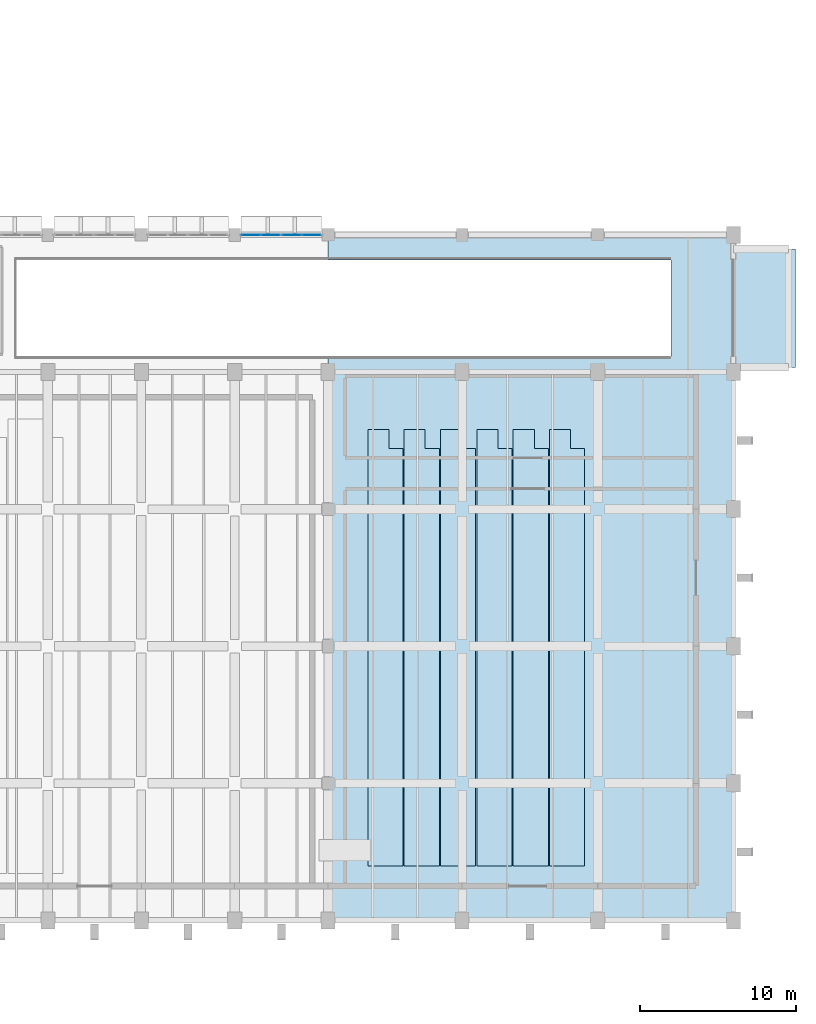
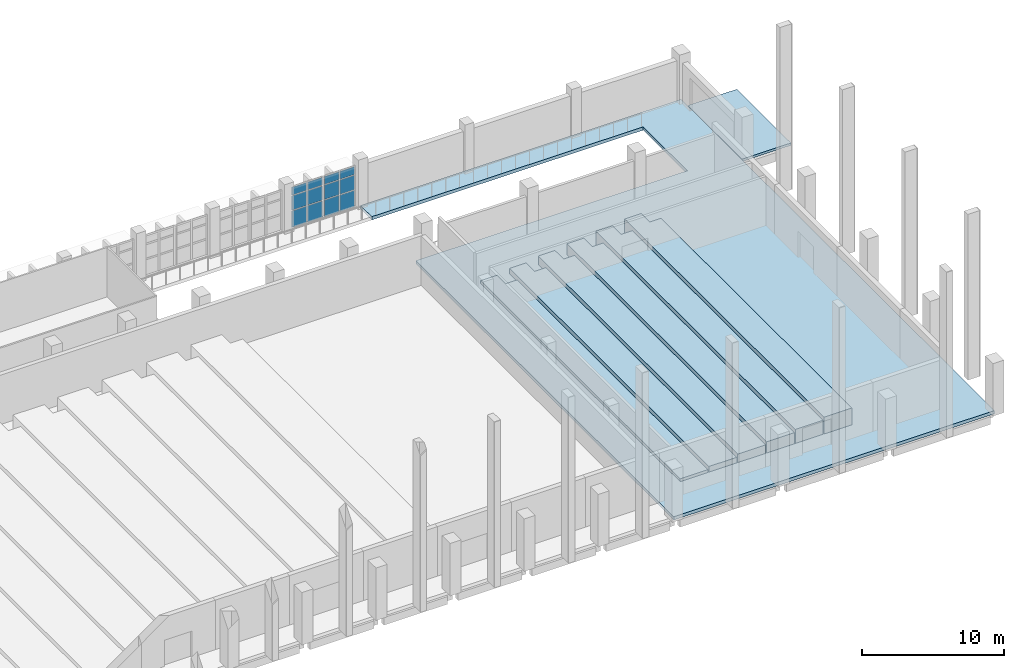
# One storey, part 56 of 76: 12 plates, 8 slabs, 2 elements without a shape of their own.
"""IFC4 building model written with IfcOpenShell, lengths in metres."""

from ifc_helpers import new_model, si_unit, direction, frame, origin, origin_2d, place, context, subcontext, project, spatial, polyline, rectangle, outline, extrude, material, layer, layer_set, type_object, element, aggregate, save


model = new_model("IFC4")

# Units and contexts
model_context = context("Model", 3, precision=1e-05, world=origin(), true_north=direction((0.0, 1.0)))
body_context = subcontext(model_context, "Body", "Model", "MODEL_VIEW")
ifc_project = project(units=[si_unit("LENGTHUNIT", "METRE"), si_unit("AREAUNIT", "SQUARE_METRE"), si_unit("VOLUMEUNIT", "CUBIC_METRE"), si_unit("PLANEANGLEUNIT", "RADIAN"), si_unit("MASSUNIT", "GRAM", prefix="KILO")], contexts=[model_context])

# Site, building, storey
site_placement = place(None, origin())
site = spatial("IfcSite", under=ifc_project, at=site_placement, CompositionType="ELEMENT")
building_placement = place(site_placement, origin())
building = spatial("IfcBuilding", under=site, at=building_placement, Name="Varnakota Cinema and Media Centre", CompositionType="ELEMENT")
storey_placement = place(building_placement, origin())
storey = spatial("IfcBuildingStorey", under=building, at=storey_placement, Name="L00", CompositionType="ELEMENT", Elevation=0.0)

# Curtain wall, plates
ifc_material_1 = material(Name="Thermally broken anodised aluminium AW-6063", Category="aluminium")
curtain_wall_type = type_object("IfcCurtainWallType", Name="CW-STD-259x358", PredefinedType="USERDEFINED", material=ifc_material_1)
curtain_wall_1_placement = place(storey_placement, origin())
curtain_wall_1 = element("IfcCurtainWall", 1, at=curtain_wall_1_placement, inside=storey, type_object=curtain_wall_type, Name="L00 curtain wall CW-L00-V1-N-10-1", ObjectType="UNITISED CURTAIN WALL", PredefinedType="USERDEFINED")
ifc_material_2 = material(Name="Laminated solar-control double glazing", Category="glass")
ifc_layer_1 = layer(ifc_material_2, 0.028076171875)
ifc_layer_set_1 = layer_set([ifc_layer_1], Name="Laminated solar-control double glazing")
plate_type = type_object("IfcPlateType", Name="CWP-DGU-28", PredefinedType="CURTAIN_PANEL", material=ifc_layer_set_1)
plate_1_placement = place(storey_placement, frame((130.039306640625, 44.0, 0.06494140625), z_axis=(0.0, 0.0, 1.0), x_axis=(1.0, 0.0, 0.0)))
plate_1 = element("IfcPlate", 2, at=plate_1_placement, type_object=plate_type, Name="CW06 panel 1.1", PredefinedType="CURTAIN_PANEL", context=body_context, shape_type="SweptSolid", body=[
    extrude(rectangle(XDim=1.19873046875, YDim=0.028076171875, at=origin_2d()), origin(), (0.0, 0.0, 1.0), 1.408203125),
])
plate_2_placement = place(storey_placement, frame((130.039306640625, 44.0, 1.5380859375), z_axis=(0.0, 0.0, 1.0), x_axis=(1.0, 0.0, 0.0)))
plate_2 = element("IfcPlate", 3, at=plate_2_placement, type_object=plate_type, Name="CW06 panel 1.2", PredefinedType="CURTAIN_PANEL", context=body_context, shape_type="SweptSolid", body=[
    extrude(rectangle(XDim=1.19873046875, YDim=0.028076171875, at=origin_2d()), origin(), (0.0, 0.0, 1.0), 1.2255859375),
])
plate_3_placement = place(storey_placement, frame((130.039306640625, 44.0, 2.82861328125), z_axis=(0.0, 0.0, 1.0), x_axis=(1.0, 0.0, 0.0)))
plate_3 = element("IfcPlate", 4, at=plate_3_placement, type_object=plate_type, Name="CW06 panel 1.3", PredefinedType="CURTAIN_PANEL", context=body_context, shape_type="SweptSolid", body=[
    extrude(rectangle(XDim=1.19873046875, YDim=0.028076171875, at=origin_2d()), origin(), (0.0, 0.0, 1.0), 0.691162109375),
])
plate_4_placement = place(storey_placement, frame((131.30322265625, 44.0, 0.06494140625), z_axis=(0.0, 0.0, 1.0), x_axis=(1.0, 0.0, 0.0)))
plate_4 = element("IfcPlate", 5, at=plate_4_placement, type_object=plate_type, Name="CW06 panel 2.1", PredefinedType="CURTAIN_PANEL", context=body_context, shape_type="SweptSolid", body=[
    extrude(rectangle(XDim=1.19873046875, YDim=0.028076171875, at=origin_2d()), origin(), (0.0, 0.0, 1.0), 1.408203125),
])
plate_5_placement = place(storey_placement, frame((131.30322265625, 44.0, 1.5380859375), z_axis=(0.0, 0.0, 1.0), x_axis=(1.0, 0.0, 0.0)))
plate_5 = element("IfcPlate", 6, at=plate_5_placement, type_object=plate_type, Name="CW06 panel 2.2", PredefinedType="CURTAIN_PANEL", context=body_context, shape_type="SweptSolid", body=[
    extrude(rectangle(XDim=1.19873046875, YDim=0.028076171875, at=origin_2d()), origin(), (0.0, 0.0, 1.0), 1.2255859375),
])
plate_6_placement = place(storey_placement, frame((131.30322265625, 44.0, 2.82861328125), z_axis=(0.0, 0.0, 1.0), x_axis=(1.0, 0.0, 0.0)))
plate_6 = element("IfcPlate", 7, at=plate_6_placement, type_object=plate_type, Name="CW06 panel 2.3", PredefinedType="CURTAIN_PANEL", context=body_context, shape_type="SweptSolid", body=[
    extrude(rectangle(XDim=1.19873046875, YDim=0.028076171875, at=origin_2d()), origin(), (0.0, 0.0, 1.0), 0.691162109375),
])
aggregate(curtain_wall_1, [plate_1, plate_2, plate_3, plate_4, plate_5, plate_6])

curtain_wall_2_placement = place(storey_placement, origin())
curtain_wall_2 = element("IfcCurtainWall", 8, at=curtain_wall_2_placement, inside=storey, type_object=curtain_wall_type, Name="L00 curtain wall CW-L00-V1-N-10-2", ObjectType="UNITISED CURTAIN WALL", PredefinedType="USERDEFINED")
plate_7_placement = place(storey_placement, frame((132.671875, 44.0, 0.06494140625), z_axis=(0.0, 0.0, 1.0), x_axis=(1.0, 0.0, 0.0)))
plate_7 = element("IfcPlate", 9, at=plate_7_placement, type_object=plate_type, Name="CW06 panel 1.1", PredefinedType="CURTAIN_PANEL", context=body_context, shape_type="SweptSolid", body=[
    extrude(rectangle(XDim=1.19873046875, YDim=0.028076171875, at=origin_2d()), origin(), (0.0, 0.0, 1.0), 1.408203125),
])
plate_8_placement = place(storey_placement, frame((132.671875, 44.0, 1.5380859375), z_axis=(0.0, 0.0, 1.0), x_axis=(1.0, 0.0, 0.0)))
plate_8 = element("IfcPlate", 10, at=plate_8_placement, type_object=plate_type, Name="CW06 panel 1.2", PredefinedType="CURTAIN_PANEL", context=body_context, shape_type="SweptSolid", body=[
    extrude(rectangle(XDim=1.19873046875, YDim=0.028076171875, at=origin_2d()), origin(), (0.0, 0.0, 1.0), 1.2255859375),
])
plate_9_placement = place(storey_placement, frame((132.671875, 44.0, 2.82861328125), z_axis=(0.0, 0.0, 1.0), x_axis=(1.0, 0.0, 0.0)))
plate_9 = element("IfcPlate", 11, at=plate_9_placement, type_object=plate_type, Name="CW06 panel 1.3", PredefinedType="CURTAIN_PANEL", context=body_context, shape_type="SweptSolid", body=[
    extrude(rectangle(XDim=1.19873046875, YDim=0.028076171875, at=origin_2d()), origin(), (0.0, 0.0, 1.0), 0.691162109375),
])
plate_10_placement = place(storey_placement, frame((133.935546875, 44.0, 0.06494140625), z_axis=(0.0, 0.0, 1.0), x_axis=(1.0, 0.0, 0.0)))
plate_10 = element("IfcPlate", 12, at=plate_10_placement, type_object=plate_type, Name="CW06 panel 2.1", PredefinedType="CURTAIN_PANEL", context=body_context, shape_type="SweptSolid", body=[
    extrude(rectangle(XDim=1.19873046875, YDim=0.028076171875, at=origin_2d()), origin(), (0.0, 0.0, 1.0), 1.408203125),
])
plate_11_placement = place(storey_placement, frame((133.935546875, 44.0, 1.5380859375), z_axis=(0.0, 0.0, 1.0), x_axis=(1.0, 0.0, 0.0)))
plate_11 = element("IfcPlate", 13, at=plate_11_placement, type_object=plate_type, Name="CW06 panel 2.2", PredefinedType="CURTAIN_PANEL", context=body_context, shape_type="SweptSolid", body=[
    extrude(rectangle(XDim=1.19873046875, YDim=0.028076171875, at=origin_2d()), origin(), (0.0, 0.0, 1.0), 1.2255859375),
])
plate_12_placement = place(storey_placement, frame((133.935546875, 44.0, 2.82861328125), z_axis=(0.0, 0.0, 1.0), x_axis=(1.0, 0.0, 0.0)))
plate_12 = element("IfcPlate", 14, at=plate_12_placement, type_object=plate_type, Name="CW06 panel 2.3", PredefinedType="CURTAIN_PANEL", context=body_context, shape_type="SweptSolid", body=[
    extrude(rectangle(XDim=1.19873046875, YDim=0.028076171875, at=origin_2d()), origin(), (0.0, 0.0, 1.0), 0.691162109375),
])
aggregate(curtain_wall_2, [plate_7, plate_8, plate_9, plate_10, plate_11, plate_12])

# Slabs
ifc_material_3 = material(Name="Concrete M35", Category="concrete")
ifc_layer_2 = layer(ifc_material_3, 0.199951171875)
ifc_layer_set_2 = layer_set([ifc_layer_2], Name="Concrete M35")
slab_type_1 = type_object("IfcSlabType", Name="SLB-APRON-200", PredefinedType="BASESLAB", material=ifc_layer_set_2)
slab_1_placement = place(storey_placement, frame((0.0, 0.0, -0.199951171875)))
element("IfcSlab", 15, at=slab_1_placement, inside=storey, type_object=slab_type_1, Name="L00 East Vehicular Ramp Driveway Apron", PredefinedType="BASESLAB", context=body_context, shape_type="SweptSolid", body=[
    extrude(outline(polyline([(161.02001953125, 35.5), (165.0, 35.5), (165.0, 43.10009765625), (161.02001953125, 43.10009765625), (161.02001953125, 35.5)])), origin(), (0.0, 0.0, 1.0), 0.199951171875),
])
ifc_material_4 = material(Name="Concrete M35", Category="concrete")
ifc_layer_3 = layer(ifc_material_4, 0.280029296875)
ifc_layer_set_3 = layer_set([ifc_layer_3], Name="Concrete M35")
slab_type_2 = type_object("IfcSlabType", Name="SLB-FLR-280", PredefinedType="FLOOR", material=ifc_layer_set_3)
slab_2_placement = place(storey_placement, frame((0.0, 0.0, -0.280029296875)))
element("IfcSlab", 16, at=slab_2_placement, inside=storey, type_object=slab_type_2, Name="L00 V2 floor slab", PredefinedType="FLOOR", context=body_context, shape_type="SweptSolid", body=[
    extrude(outline(polyline([(135.0, 0.0), (161.0, 0.0), (161.0, 44.0), (135.0, 44.0), (135.0, 42.39990234375), (157.0, 42.39990234375), (157.0, 36.199951171875), (135.0, 36.199951171875), (135.0, 0.0)])), origin(), (0.0, 0.0, 1.0), 0.280029296875),
])
ifc_material_5 = material(Name="Concrete M35", Category="concrete")
ifc_layer_4 = layer(ifc_material_5, 0.219970703125)
ifc_layer_set_4 = layer_set([ifc_layer_4], Name="Concrete M35")
slab_type_3 = type_object("IfcSlabType", Name="SLB-TIER-220", PredefinedType="USERDEFINED", material=ifc_layer_set_4)
slab_3_placement = place(storey_placement, origin())
element("IfcSlab", 17, at=slab_3_placement, inside=storey, type_object=slab_type_3, Name="L00 V2-AUD raked seating tier 1", ObjectType="SEATING TIER", PredefinedType="USERDEFINED", context=body_context, shape_type="SweptSolid", body=[
    extrude(outline(polyline([(137.5400390625, 3.5), (139.793212890625, 3.5), (139.793212890625, 30.300048828125), (138.89208984375, 30.300048828125), (138.89208984375, 31.5), (137.5400390625, 31.5), (137.5400390625, 3.5)])), origin(), (0.0, 0.0, 1.0), 0.239990234375),
])
slab_4_placement = place(storey_placement, origin())
element("IfcSlab", 18, at=slab_4_placement, inside=storey, type_object=slab_type_3, Name="L00 V2-AUD raked seating tier 2", ObjectType="SEATING TIER", PredefinedType="USERDEFINED", context=body_context, shape_type="SweptSolid", body=[
    extrude(outline(polyline([(139.873291015625, 3.5), (142.126708984375, 3.5), (142.126708984375, 30.300048828125), (141.225341796875, 30.300048828125), (141.225341796875, 31.5), (139.873291015625, 31.5), (139.873291015625, 3.5)])), origin(), (0.0, 0.0, 1.0), 0.47998046875),
])
slab_5_placement = place(storey_placement, origin())
element("IfcSlab", 19, at=slab_5_placement, inside=storey, type_object=slab_type_3, Name="L00 V2-AUD raked seating tier 3", ObjectType="SEATING TIER", PredefinedType="USERDEFINED", context=body_context, shape_type="SweptSolid", body=[
    extrude(outline(polyline([(142.206787109375, 3.5), (144.4599609375, 3.5), (144.4599609375, 30.300048828125), (143.55859375, 30.300048828125), (143.55859375, 31.5), (142.206787109375, 31.5), (142.206787109375, 3.5)])), origin(), (0.0, 0.0, 1.0), 0.719970703125),
])
slab_6_placement = place(storey_placement, origin())
element("IfcSlab", 20, at=slab_6_placement, inside=storey, type_object=slab_type_3, Name="L00 V2-AUD raked seating tier 4", ObjectType="SEATING TIER", PredefinedType="USERDEFINED", context=body_context, shape_type="SweptSolid", body=[
    extrude(outline(polyline([(144.5400390625, 3.5), (146.793212890625, 3.5), (146.793212890625, 30.300048828125), (145.89208984375, 30.300048828125), (145.89208984375, 31.5), (144.5400390625, 31.5), (144.5400390625, 3.5)])), origin(), (0.0, 0.0, 1.0), 0.9599609375),
])
slab_7_placement = place(storey_placement, origin())
element("IfcSlab", 21, at=slab_7_placement, inside=storey, type_object=slab_type_3, Name="L00 V2-AUD raked seating tier 5", ObjectType="SEATING TIER", PredefinedType="USERDEFINED", context=body_context, shape_type="SweptSolid", body=[
    extrude(outline(polyline([(146.873291015625, 3.5), (149.126708984375, 3.5), (149.126708984375, 30.300048828125), (148.225341796875, 30.300048828125), (148.225341796875, 31.5), (146.873291015625, 31.5), (146.873291015625, 3.5)])), origin(), (0.0, 0.0, 1.0), 1.199951171875),
])
slab_8_placement = place(storey_placement, origin())
element("IfcSlab", 22, at=slab_8_placement, inside=storey, type_object=slab_type_3, Name="L00 V2-AUD raked seating tier 6", ObjectType="SEATING TIER", PredefinedType="USERDEFINED", context=body_context, shape_type="SweptSolid", body=[
    extrude(outline(polyline([(149.206787109375, 3.5), (151.4599609375, 3.5), (151.4599609375, 30.300048828125), (150.55859375, 30.300048828125), (150.55859375, 31.5), (149.206787109375, 31.5), (149.206787109375, 3.5)])), origin(), (0.0, 0.0, 1.0), 1.43994140625),
])

save(model, "model.ifc")
